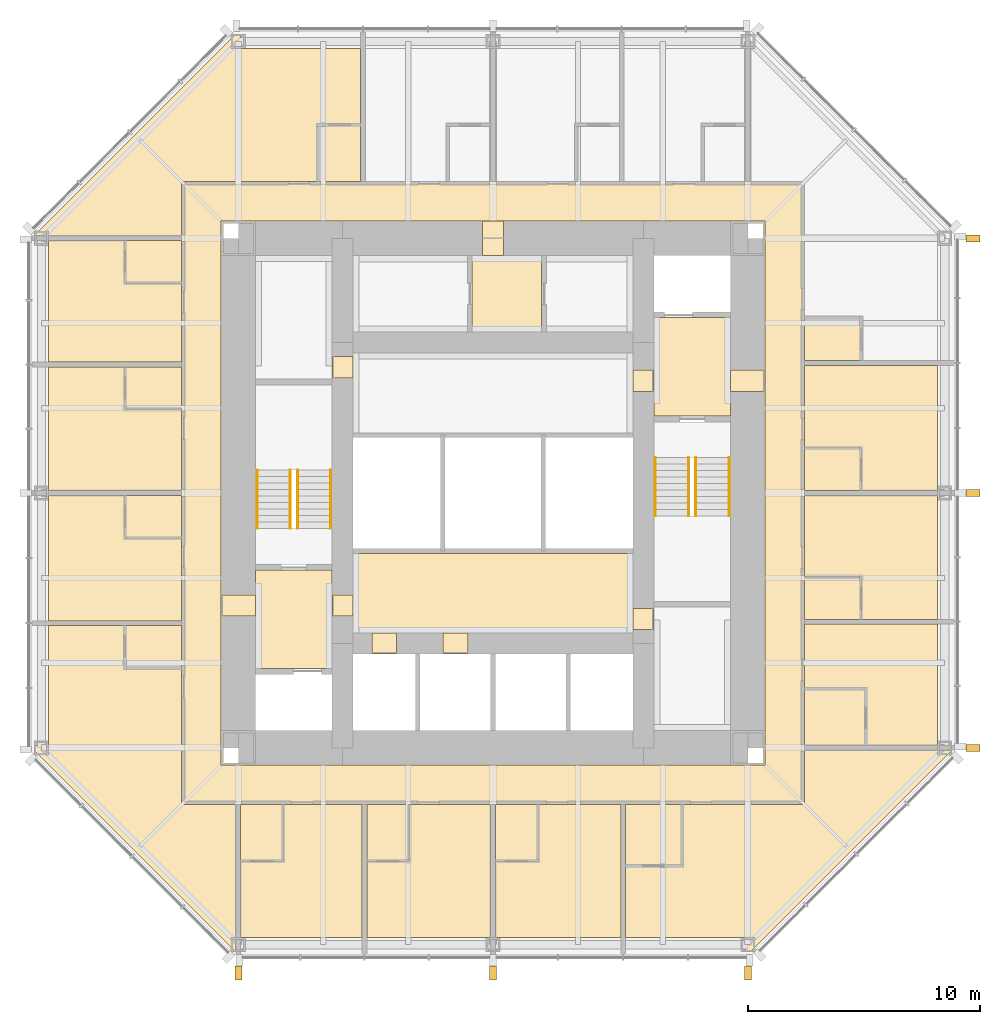
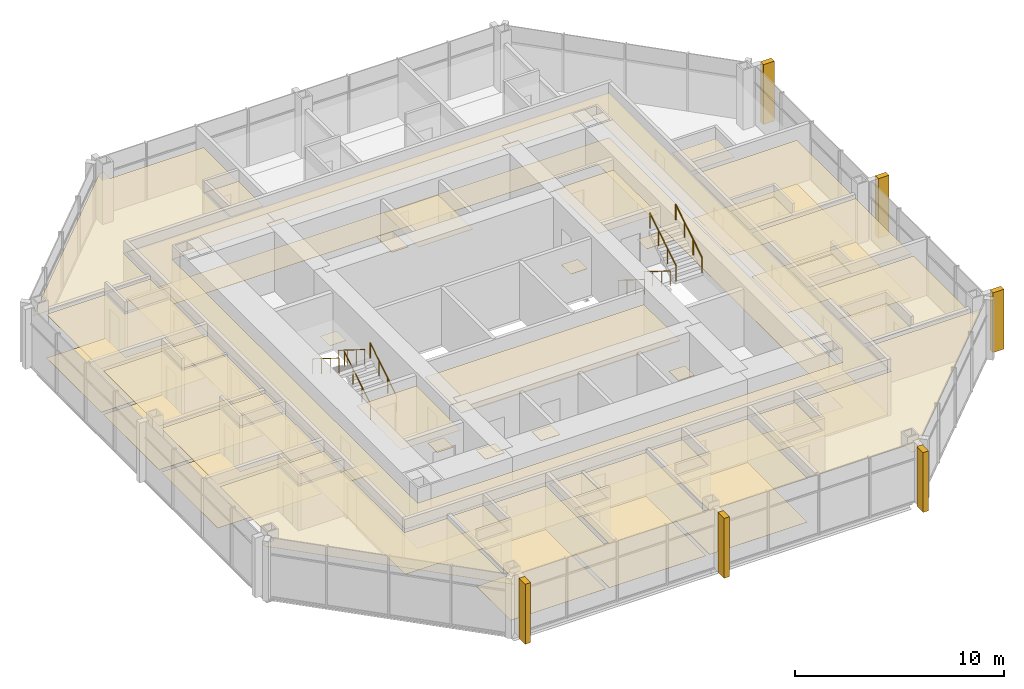
# One storey, part 11 of 12: 54 coverings, 8 railings.
"""IFC4 building model written with IfcOpenShell, lengths in metres."""

from ifc_helpers import new_model, si_unit, direction, frame, origin, origin_2d, place, context, subcontext, project, spatial, polyline, rectangle, circle, outline, extrude, material, layer, layer_set, type_object, element, save


model = new_model("IFC4")

# Units and contexts
model_context = context("Model", 3, precision=1e-05, world=origin(), true_north=direction((0.0, 1.0)))
body_context = subcontext(model_context, "Body", "Model", "MODEL_VIEW")
ifc_project = project(units=[si_unit("LENGTHUNIT", "METRE"), si_unit("AREAUNIT", "SQUARE_METRE"), si_unit("VOLUMEUNIT", "CUBIC_METRE"), si_unit("PLANEANGLEUNIT", "RADIAN"), si_unit("MASSUNIT", "GRAM", prefix="KILO")], contexts=[model_context])

# Site, building, storey
site_placement = place(None, origin())
site = spatial("IfcSite", under=ifc_project, at=site_placement, CompositionType="ELEMENT")
building_placement = place(site_placement, origin())
building = spatial("IfcBuilding", under=site, at=building_placement, Name="Trevanion Tower", CompositionType="ELEMENT")
storey_placement = place(building_placement, frame((0.0, 0.0, 190.699951171875)))
storey = spatial("IfcBuildingStorey", under=building, at=storey_placement, Name="L44", CompositionType="ELEMENT", Elevation=190.699951171875)

# Coverings
ifc_material_1 = material(Name="Fibrous plaster coffers on suspended steel grid", Category="steel")
ifc_layer_1 = layer(ifc_material_1, 0.050048828125)
ifc_layer_set_1 = layer_set([ifc_layer_1], Name="CL1 coffered fibrous plaster ceiling 50")
covering_type_1 = type_object("IfcCoveringType", Name="CL1 coffered fibrous plaster ceiling 50", PredefinedType="CEILING", material=ifc_layer_set_1)
covering_1_placement = place(storey_placement, frame((0.0, 0.0, 2.429931640625)))
element("IfcCovering", 1, at=covering_1_placement, inside=storey, type_object=covering_type_1, Name="CL1 L44-LBS", PredefinedType="CEILING", context=body_context, shape_type="SweptSolid", body=[
    extrude(outline(polyline([(6.050048828125, -6.050048828125), (6.050048828125, -2.60009765625), (-6.050048828125, -2.60009765625), (-6.050048828125, -6.050048828125), (6.050048828125, -6.050048828125)])), origin(), (0.0, 0.0, 1.0), 0.050048828125),
])
ifc_material_2 = material(Name="Mineral fibre acoustic tiles in exposed grid", Category="mineral fibre")
ifc_layer_2 = layer(ifc_material_2, 0.02001953125)
ifc_layer_set_2 = layer_set([ifc_layer_2], Name="CL2 acoustic tile ceiling 20")
covering_type_2 = type_object("IfcCoveringType", Name="CL2 acoustic tile ceiling 20", PredefinedType="CEILING", material=ifc_layer_set_2)
covering_2_placement = place(storey_placement, frame((0.0, 0.0, 2.4599609375)))
element("IfcCovering", 2, at=covering_2_placement, inside=storey, type_object=covering_type_2, Name="CL2 L44-HKC", PredefinedType="CEILING", context=body_context, shape_type="SweptSolid", body=[
    extrude(outline(polyline([(2.10009765625, 6.949951171875), (2.10009765625, 10.25), (-0.89990234375, 10.25), (-0.89990234375, 6.949951171875), (2.10009765625, 6.949951171875)])), origin(), (0.0, 0.0, 1.0), 0.02001953125),
])
covering_3_placement = place(storey_placement, frame((0.0, 0.0, 2.633056640625)))
element("IfcCovering", 3, at=covering_3_placement, inside=storey, type_object=covering_type_2, Name="CL2 L44-CO", PredefinedType="CEILING", context=body_context, shape_type="SweptSolid", body=[
    extrude(outline(polyline([(-13.35009765625, -13.35009765625), (-13.35009765625, 13.35009765625), (13.35009765625, 13.35009765625), (13.35009765625, -13.35009765625), (-13.35009765625, -13.35009765625)]), holes=[polyline([(11.75, 11.75), (-11.75, 11.75), (-11.75, -11.75), (11.75, -11.75), (11.75, 11.75)])]), origin(), (0.0, 0.0, 1.0), 0.02001953125),
])
ifc_material_3 = material(Name="Gypsum plasterboard on suspended metal furring", Category="gypsum")
ifc_layer_3 = layer(ifc_material_3, 0.012939453125)
ifc_layer_set_3 = layer_set([ifc_layer_3], Name="CL3 plasterboard ceiling 13")
covering_type_3 = type_object("IfcCoveringType", Name="CL3 plasterboard ceiling 13", PredefinedType="CEILING", material=ifc_layer_set_3)
covering_4_placement = place(storey_placement, frame((0.0, 0.0, 2.699951171875)))
element("IfcCovering", 4, at=covering_4_placement, inside=storey, type_object=covering_type_3, Name="CL3 L44-FV1", PredefinedType="CEILING", context=body_context, shape_type="SweptSolid", body=[
    extrude(outline(polyline([(10.25, 3.324951171875), (10.25, 7.574951171875), (6.949951171875, 7.574951171875), (6.949951171875, 3.324951171875), (10.25, 3.324951171875)])), origin(), (0.0, 0.0, 1.0), 0.01318359375),
])
covering_5_placement = place(storey_placement, frame((0.0, 0.0, 2.699951171875)))
element("IfcCovering", 5, at=covering_5_placement, inside=storey, type_object=covering_type_3, Name="CL3 L44-FV2", PredefinedType="CEILING", context=body_context, shape_type="SweptSolid", body=[
    extrude(outline(polyline([(-10.25, -3.324951171875), (-10.25, -7.574951171875), (-6.949951171875, -7.574951171875), (-6.949951171875, -3.324951171875), (-10.25, -3.324951171875)])), origin(), (0.0, 0.0, 1.0), 0.01318359375),
])
covering_6_placement = place(storey_placement, frame((0.0, 0.0, 2.551025390625)))
element("IfcCovering", 6, at=covering_6_placement, inside=storey, type_object=covering_type_3, Name="CL3 L44-GA", PredefinedType="CEILING", context=body_context, shape_type="SweptSolid", body=[
    extrude(outline(polyline([(13.449951171875, -5.64892578125), (19.199951171875, -5.64892578125), (19.199951171875, -10.89990234375), (16.10009765625, -10.89990234375), (16.10009765625, -8.449951171875), (13.449951171875, -8.449951171875), (13.449951171875, -5.64892578125)])), origin(), (0.0, 0.0, 1.0), 0.012939453125),
])
covering_7_placement = place(storey_placement, frame((0.0, 0.0, 2.551025390625)))
element("IfcCovering", 7, at=covering_7_placement, inside=storey, type_object=covering_type_3, Name="CL3 L44-GR", PredefinedType="CEILING", context=body_context, shape_type="SweptSolid", body=[
    extrude(outline(polyline([(13.449951171875, -0.10009765625), (19.199951171875, -0.10009765625), (19.199951171875, -5.448974609375), (15.89990234375, -5.448974609375), (15.89990234375, -3.59912109375), (13.449951171875, -3.59912109375), (13.449951171875, -0.10009765625)])), origin(), (0.0, 0.0, 1.0), 0.012939453125),
])
covering_8_placement = place(storey_placement, frame((0.0, 0.0, 2.551025390625)))
element("IfcCovering", 8, at=covering_8_placement, inside=storey, type_object=covering_type_3, Name="CL3 L44-GR2", PredefinedType="CEILING", context=body_context, shape_type="SweptSolid", body=[
    extrude(outline(polyline([(13.449951171875, 5.513916015625), (19.199951171875, 5.513916015625), (19.199951171875, 0.10009765625), (15.89990234375, 0.10009765625), (15.89990234375, 1.949951171875), (13.449951171875, 1.949951171875), (13.449951171875, 5.513916015625)])), origin(), (0.0, 0.0, 1.0), 0.012939453125),
])
covering_9_placement = place(storey_placement, frame((0.0, 0.0, 2.551025390625)))
element("IfcCovering", 9, at=covering_9_placement, inside=storey, type_object=covering_type_3, Name="CL3 L44-GR7", PredefinedType="CEILING", context=body_context, shape_type="SweptSolid", body=[
    extrude(outline(polyline([(-13.449951171875, 11.10009765625), (-19.800048828125, 11.10009765625), (-19.800048828125, 11.124267578125), (-11.124267578125, 19.800048828125), (-10.89990234375, 19.800048828125), (-10.89990234375, 19.199951171875), (-5.714111328125, 19.199951171875), (-5.714111328125, 15.89990234375), (-7.56396484375, 15.89990234375), (-7.56396484375, 13.449951171875), (-13.449951171875, 13.449951171875), (-13.449951171875, 11.10009765625)])), origin(), (0.0, 0.0, 1.0), 0.012939453125),
])
covering_10_placement = place(storey_placement, frame((0.0, 0.0, 2.551025390625)))
element("IfcCovering", 10, at=covering_10_placement, inside=storey, type_object=covering_type_3, Name="CL3 L44-GR8", PredefinedType="CEILING", context=body_context, shape_type="SweptSolid", body=[
    extrude(outline(polyline([(-13.449951171875, 5.64892578125), (-19.199951171875, 5.64892578125), (-19.199951171875, 10.89990234375), (-15.89990234375, 10.89990234375), (-15.89990234375, 9.050048828125), (-13.449951171875, 9.050048828125), (-13.449951171875, 5.64892578125)])), origin(), (0.0, 0.0, 1.0), 0.012939453125),
])
covering_11_placement = place(storey_placement, frame((0.0, 0.0, 2.551025390625)))
element("IfcCovering", 11, at=covering_11_placement, inside=storey, type_object=covering_type_3, Name="CL3 L44-GR9", PredefinedType="CEILING", context=body_context, shape_type="SweptSolid", body=[
    extrude(outline(polyline([(-13.449951171875, 0.10009765625), (-19.199951171875, 0.10009765625), (-19.199951171875, 5.448974609375), (-15.89990234375, 5.448974609375), (-15.89990234375, 3.59912109375), (-13.449951171875, 3.59912109375), (-13.449951171875, 0.10009765625)])), origin(), (0.0, 0.0, 1.0), 0.012939453125),
])
covering_12_placement = place(storey_placement, frame((0.0, 0.0, 2.551025390625)))
element("IfcCovering", 12, at=covering_12_placement, inside=storey, type_object=covering_type_3, Name="CL3 L44-GR10", PredefinedType="CEILING", context=body_context, shape_type="SweptSolid", body=[
    extrude(outline(polyline([(-13.449951171875, -5.513916015625), (-19.199951171875, -5.513916015625), (-19.199951171875, -0.10009765625), (-15.89990234375, -0.10009765625), (-15.89990234375, -1.949951171875), (-13.449951171875, -1.949951171875), (-13.449951171875, -5.513916015625)])), origin(), (0.0, 0.0, 1.0), 0.012939453125),
])
covering_13_placement = place(storey_placement, frame((0.0, 0.0, 2.551025390625)))
element("IfcCovering", 13, at=covering_13_placement, inside=storey, type_object=covering_type_3, Name="CL3 L44-GR11", PredefinedType="CEILING", context=body_context, shape_type="SweptSolid", body=[
    extrude(outline(polyline([(-11.10009765625, -13.449951171875), (-11.10009765625, -19.800048828125), (-11.124267578125, -19.800048828125), (-19.800048828125, -11.124267578125), (-19.800048828125, -10.89990234375), (-19.199951171875, -10.89990234375), (-19.199951171875, -5.714111328125), (-15.89990234375, -5.714111328125), (-15.89990234375, -7.56396484375), (-13.449951171875, -7.56396484375), (-13.449951171875, -13.449951171875), (-11.10009765625, -13.449951171875)])), origin(), (0.0, 0.0, 1.0), 0.012939453125),
])
covering_14_placement = place(storey_placement, frame((0.0, 0.0, 2.551025390625)))
element("IfcCovering", 14, at=covering_14_placement, inside=storey, type_object=covering_type_3, Name="CL3 L44-GR12", PredefinedType="CEILING", context=body_context, shape_type="SweptSolid", body=[
    extrude(outline(polyline([(-5.64892578125, -13.449951171875), (-5.64892578125, -19.199951171875), (-10.89990234375, -19.199951171875), (-10.89990234375, -15.89990234375), (-9.050048828125, -15.89990234375), (-9.050048828125, -13.449951171875), (-5.64892578125, -13.449951171875)])), origin(), (0.0, 0.0, 1.0), 0.012939453125),
])
covering_15_placement = place(storey_placement, frame((0.0, 0.0, 2.551025390625)))
element("IfcCovering", 15, at=covering_15_placement, inside=storey, type_object=covering_type_3, Name="CL3 L44-GR13", PredefinedType="CEILING", context=body_context, shape_type="SweptSolid", body=[
    extrude(outline(polyline([(-0.10009765625, -13.449951171875), (-0.10009765625, -19.199951171875), (-5.448974609375, -19.199951171875), (-5.448974609375, -15.89990234375), (-3.59912109375, -15.89990234375), (-3.59912109375, -13.449951171875), (-0.10009765625, -13.449951171875)])), origin(), (0.0, 0.0, 1.0), 0.012939453125),
])
covering_16_placement = place(storey_placement, frame((0.0, 0.0, 2.551025390625)))
element("IfcCovering", 16, at=covering_16_placement, inside=storey, type_object=covering_type_3, Name="CL3 L44-GR14", PredefinedType="CEILING", context=body_context, shape_type="SweptSolid", body=[
    extrude(outline(polyline([(5.513916015625, -13.449951171875), (5.513916015625, -19.199951171875), (0.10009765625, -19.199951171875), (0.10009765625, -15.89990234375), (1.949951171875, -15.89990234375), (1.949951171875, -13.449951171875), (5.513916015625, -13.449951171875)])), origin(), (0.0, 0.0, 1.0), 0.012939453125),
])
covering_17_placement = place(storey_placement, frame((0.0, 0.0, 2.551025390625)))
element("IfcCovering", 17, at=covering_17_placement, inside=storey, type_object=covering_type_3, Name="CL3 L44-GA2", PredefinedType="CEILING", context=body_context, shape_type="SweptSolid", body=[
    extrude(outline(polyline([(13.449951171875, -11.10009765625), (19.800048828125, -11.10009765625), (19.800048828125, -11.124267578125), (11.124267578125, -19.800048828125), (10.89990234375, -19.800048828125), (10.89990234375, -19.199951171875), (5.714111328125, -19.199951171875), (5.714111328125, -16.10009765625), (8.1640625, -16.10009765625), (8.1640625, -13.449951171875), (13.449951171875, -13.449951171875), (13.449951171875, -11.10009765625)])), origin(), (0.0, 0.0, 1.0), 0.012939453125),
])
ifc_material_4 = material(Name="Moisture-resistant gypsum board on suspended metal furring", Category="gypsum")
ifc_layer_4 = layer(ifc_material_4, 0.01611328125)
ifc_layer_set_4 = layer_set([ifc_layer_4], Name="CL4 moisture-resistant board ceiling 16")
covering_type_4 = type_object("IfcCoveringType", Name="CL4 moisture-resistant board ceiling 16", PredefinedType="CEILING", material=ifc_layer_set_4)
covering_18_placement = place(storey_placement, frame((0.0, 0.0, 2.60009765625)))
element("IfcCovering", 18, at=covering_18_placement, inside=storey, type_object=covering_type_4, Name="CL4 L44-EN", PredefinedType="CEILING", context=body_context, shape_type="SweptSolid", body=[
    extrude(outline(polyline([(16.050048828125, -10.89990234375), (16.050048828125, -8.5), (13.449951171875, -8.5), (13.449951171875, -10.89990234375), (16.050048828125, -10.89990234375)])), origin(), (0.0, 0.0, 1.0), 0.015869140625),
])
covering_19_placement = place(storey_placement, frame((0.0, 0.0, 2.60009765625)))
element("IfcCovering", 19, at=covering_19_placement, inside=storey, type_object=covering_type_4, Name="CL4 L44-EN2", PredefinedType="CEILING", context=body_context, shape_type="SweptSolid", body=[
    extrude(outline(polyline([(15.85009765625, -5.448974609375), (15.85009765625, -3.64892578125), (13.449951171875, -3.64892578125), (13.449951171875, -5.448974609375), (15.85009765625, -5.448974609375)])), origin(), (0.0, 0.0, 1.0), 0.015869140625),
])
covering_20_placement = place(storey_placement, frame((0.0, 0.0, 2.60009765625)))
element("IfcCovering", 20, at=covering_20_placement, inside=storey, type_object=covering_type_4, Name="CL4 L44-EN3", PredefinedType="CEILING", context=body_context, shape_type="SweptSolid", body=[
    extrude(outline(polyline([(15.85009765625, 0.10009765625), (15.85009765625, 1.89990234375), (13.449951171875, 1.89990234375), (13.449951171875, 0.10009765625), (15.85009765625, 0.10009765625)])), origin(), (0.0, 0.0, 1.0), 0.015869140625),
])
covering_21_placement = place(storey_placement, frame((0.0, 0.0, 2.60009765625)))
element("IfcCovering", 21, at=covering_21_placement, inside=storey, type_object=covering_type_4, Name="CL4 L44-EN4", PredefinedType="CEILING", context=body_context, shape_type="SweptSolid", body=[
    extrude(outline(polyline([(15.85009765625, 5.714111328125), (15.85009765625, 7.513916015625), (13.449951171875, 7.513916015625), (13.449951171875, 5.714111328125), (15.85009765625, 5.714111328125)])), origin(), (0.0, 0.0, 1.0), 0.015869140625),
])
covering_22_placement = place(storey_placement, frame((0.0, 0.0, 2.60009765625)))
element("IfcCovering", 22, at=covering_22_placement, inside=storey, type_object=covering_type_4, Name="CL4 L44-EN8", PredefinedType="CEILING", context=body_context, shape_type="SweptSolid", body=[
    extrude(outline(polyline([(-5.714111328125, 15.85009765625), (-7.513916015625, 15.85009765625), (-7.513916015625, 13.449951171875), (-5.714111328125, 13.449951171875), (-5.714111328125, 15.85009765625)])), origin(), (0.0, 0.0, 1.0), 0.015869140625),
])
covering_23_placement = place(storey_placement, frame((0.0, 0.0, 2.60009765625)))
element("IfcCovering", 23, at=covering_23_placement, inside=storey, type_object=covering_type_4, Name="CL4 L44-EN9", PredefinedType="CEILING", context=body_context, shape_type="SweptSolid", body=[
    extrude(outline(polyline([(-15.85009765625, 10.89990234375), (-15.85009765625, 9.10009765625), (-13.449951171875, 9.10009765625), (-13.449951171875, 10.89990234375), (-15.85009765625, 10.89990234375)])), origin(), (0.0, 0.0, 1.0), 0.015869140625),
])
covering_24_placement = place(storey_placement, frame((0.0, 0.0, 2.60009765625)))
element("IfcCovering", 24, at=covering_24_placement, inside=storey, type_object=covering_type_4, Name="CL4 L44-EN10", PredefinedType="CEILING", context=body_context, shape_type="SweptSolid", body=[
    extrude(outline(polyline([(-15.85009765625, 5.448974609375), (-15.85009765625, 3.64892578125), (-13.449951171875, 3.64892578125), (-13.449951171875, 5.448974609375), (-15.85009765625, 5.448974609375)])), origin(), (0.0, 0.0, 1.0), 0.015869140625),
])
covering_25_placement = place(storey_placement, frame((0.0, 0.0, 2.60009765625)))
element("IfcCovering", 25, at=covering_25_placement, inside=storey, type_object=covering_type_4, Name="CL4 L44-EN11", PredefinedType="CEILING", context=body_context, shape_type="SweptSolid", body=[
    extrude(outline(polyline([(-15.85009765625, -0.10009765625), (-15.85009765625, -1.89990234375), (-13.449951171875, -1.89990234375), (-13.449951171875, -0.10009765625), (-15.85009765625, -0.10009765625)])), origin(), (0.0, 0.0, 1.0), 0.015869140625),
])
covering_26_placement = place(storey_placement, frame((0.0, 0.0, 2.60009765625)))
element("IfcCovering", 26, at=covering_26_placement, inside=storey, type_object=covering_type_4, Name="CL4 L44-EN12", PredefinedType="CEILING", context=body_context, shape_type="SweptSolid", body=[
    extrude(outline(polyline([(-15.85009765625, -5.714111328125), (-15.85009765625, -7.513916015625), (-13.449951171875, -7.513916015625), (-13.449951171875, -5.714111328125), (-15.85009765625, -5.714111328125)])), origin(), (0.0, 0.0, 1.0), 0.015869140625),
])
covering_27_placement = place(storey_placement, frame((0.0, 0.0, 2.60009765625)))
element("IfcCovering", 27, at=covering_27_placement, inside=storey, type_object=covering_type_4, Name="CL4 L44-EN13", PredefinedType="CEILING", context=body_context, shape_type="SweptSolid", body=[
    extrude(outline(polyline([(-10.89990234375, -15.85009765625), (-9.10009765625, -15.85009765625), (-9.10009765625, -13.449951171875), (-10.89990234375, -13.449951171875), (-10.89990234375, -15.85009765625)])), origin(), (0.0, 0.0, 1.0), 0.015869140625),
])
covering_28_placement = place(storey_placement, frame((0.0, 0.0, 2.60009765625)))
element("IfcCovering", 28, at=covering_28_placement, inside=storey, type_object=covering_type_4, Name="CL4 L44-EN14", PredefinedType="CEILING", context=body_context, shape_type="SweptSolid", body=[
    extrude(outline(polyline([(-5.448974609375, -15.85009765625), (-3.64892578125, -15.85009765625), (-3.64892578125, -13.449951171875), (-5.448974609375, -13.449951171875), (-5.448974609375, -15.85009765625)])), origin(), (0.0, 0.0, 1.0), 0.015869140625),
])
covering_29_placement = place(storey_placement, frame((0.0, 0.0, 2.60009765625)))
element("IfcCovering", 29, at=covering_29_placement, inside=storey, type_object=covering_type_4, Name="CL4 L44-EN15", PredefinedType="CEILING", context=body_context, shape_type="SweptSolid", body=[
    extrude(outline(polyline([(0.10009765625, -15.85009765625), (1.89990234375, -15.85009765625), (1.89990234375, -13.449951171875), (0.10009765625, -13.449951171875), (0.10009765625, -15.85009765625)])), origin(), (0.0, 0.0, 1.0), 0.015869140625),
])
covering_30_placement = place(storey_placement, frame((0.0, 0.0, 2.60009765625)))
element("IfcCovering", 30, at=covering_30_placement, inside=storey, type_object=covering_type_4, Name="CL4 L44-EN16", PredefinedType="CEILING", context=body_context, shape_type="SweptSolid", body=[
    extrude(outline(polyline([(5.714111328125, -16.050048828125), (8.114013671875, -16.050048828125), (8.114013671875, -13.449951171875), (5.714111328125, -13.449951171875), (5.714111328125, -16.050048828125)])), origin(), (0.0, 0.0, 1.0), 0.015869140625),
])
ifc_material_5 = material(Name="Cast bronze fin on aluminium carrier", Category="aluminium")
covering_type_5 = type_object("IfcCoveringType", Name="F1 bronze fin", PredefinedType="CLADDING", material=ifc_material_5)
for number, where, z_axis, x_axis, name in (
    (31, (20.72509765625, -11.0, -0.18994140625), (0.0, 0.0, 1.0), (0.0, 1.0, 0.0), "F1 L44 east -11.0"),
    (32, (20.72509765625, 0.0, -0.18994140625), (0.0, 0.0, 1.0), (0.0, 1.0, 0.0), "F1 L44 east +0.0"),
    (33, (20.72509765625, 11.0, -0.18994140625), (0.0, 0.0, 1.0), (0.0, 1.0, 0.0), "F1 L44 east +11.0"),
    (34, (-11.0, -20.72509765625, -0.18994140625), (0.0, 0.0, 1.0), (1.0, 0.0, 0.0), "F1 L44 south -11.0"),
    (35, (0.0, -20.72509765625, -0.18994140625), (0.0, 0.0, 1.0), (1.0, 0.0, 0.0), "F1 L44 south +0.0"),
    (36, (11.0, -20.72509765625, -0.18994140625), (0.0, 0.0, 1.0), (1.0, 0.0, 0.0), "F1 L44 south +11.0"),
):
    element("IfcCovering", number, at=place(storey_placement, frame(where, z_axis=z_axis, x_axis=x_axis)), inside=storey, type_object=covering_type_5, Name=name, PredefinedType="CLADDING", context=body_context, shape_type="SweptSolid", body=[
        extrude(rectangle(XDim=0.300048828125, YDim=0.60009765625, at=origin_2d()), origin(), (0.0, 0.0, 1.0), 3.5),
    ])
ifc_material_6 = material(Name="Terrazzo, brass divider strips", Category="stone")
ifc_layer_5 = layer(ifc_material_6, 0.02001953125)
ifc_layer_set_5 = layer_set([ifc_layer_5], Name="FF1 terrazzo flooring")
covering_type_6 = type_object("IfcCoveringType", Name="FF1 terrazzo flooring", PredefinedType="FLOORING", material=ifc_layer_set_5)
covering_31_placement = place(storey_placement, origin())
element("IfcCovering", 37, at=covering_31_placement, inside=storey, type_object=covering_type_6, Name="FF1 threshold 44-001", PredefinedType="FLOORING", context=body_context, shape_type="SweptSolid", body=[
    extrude(outline(polyline([(11.75, 4.392578125), (11.75, 5.3076171875), (10.25, 5.3076171875), (10.25, 4.392578125), (11.75, 4.392578125)])), origin(), (0.0, 0.0, 1.0), 0.02001953125),
])
covering_32_placement = place(storey_placement, origin())
element("IfcCovering", 38, at=covering_32_placement, inside=storey, type_object=covering_type_6, Name="FF1 threshold 44-002", PredefinedType="FLOORING", context=body_context, shape_type="SweptSolid", body=[
    extrude(outline(polyline([(-11.75, -4.392578125), (-11.75, -5.3076171875), (-10.25, -5.3076171875), (-10.25, -4.392578125), (-11.75, -4.392578125)])), origin(), (0.0, 0.0, 1.0), 0.02001953125),
])
covering_33_placement = place(storey_placement, origin())
element("IfcCovering", 39, at=covering_33_placement, inside=storey, type_object=covering_type_6, Name="FF1 threshold 44-003", PredefinedType="FLOORING", context=body_context, shape_type="SweptSolid", body=[
    extrude(outline(polyline([(6.949951171875, 4.392578125), (6.949951171875, 5.3076171875), (6.050048828125, 5.3076171875), (6.050048828125, 4.392578125), (6.949951171875, 4.392578125)])), origin(), (0.0, 0.0, 1.0), 0.02001953125),
])
covering_34_placement = place(storey_placement, origin())
element("IfcCovering", 40, at=covering_34_placement, inside=storey, type_object=covering_type_6, Name="FF1 threshold 44-004", PredefinedType="FLOORING", context=body_context, shape_type="SweptSolid", body=[
    extrude(outline(polyline([(-6.949951171875, -4.392578125), (-6.949951171875, -5.3076171875), (-6.050048828125, -5.3076171875), (-6.050048828125, -4.392578125), (-6.949951171875, -4.392578125)])), origin(), (0.0, 0.0, 1.0), 0.02001953125),
])
covering_35_placement = place(storey_placement, origin())
element("IfcCovering", 41, at=covering_35_placement, inside=storey, type_object=covering_type_6, Name="FF1 threshold 44-009", PredefinedType="FLOORING", context=body_context, shape_type="SweptSolid", body=[
    extrude(outline(polyline([(6.949951171875, -5.889892578125), (6.949951171875, -4.97509765625), (6.050048828125, -4.97509765625), (6.050048828125, -5.889892578125), (6.949951171875, -5.889892578125)])), origin(), (0.0, 0.0, 1.0), 0.02001953125),
])
covering_36_placement = place(storey_placement, origin())
element("IfcCovering", 42, at=covering_36_placement, inside=storey, type_object=covering_type_6, Name="FF1 threshold 44-010", PredefinedType="FLOORING", context=body_context, shape_type="SweptSolid", body=[
    extrude(outline(polyline([(-6.949951171875, 5.889892578125), (-6.949951171875, 4.97509765625), (-6.050048828125, 4.97509765625), (-6.050048828125, 5.889892578125), (-6.949951171875, 5.889892578125)])), origin(), (0.0, 0.0, 1.0), 0.02001953125),
])
covering_37_placement = place(storey_placement, origin())
element("IfcCovering", 43, at=covering_37_placement, inside=storey, type_object=covering_type_6, Name="FF1 threshold 44-011", PredefinedType="FLOORING", context=body_context, shape_type="SweptSolid", body=[
    extrude(outline(polyline([(-5.2333984375, -6.949951171875), (-4.16650390625, -6.949951171875), (-4.16650390625, -6.050048828125), (-5.2333984375, -6.050048828125), (-5.2333984375, -6.949951171875)])), origin(), (0.0, 0.0, 1.0), 0.02001953125),
])
covering_38_placement = place(storey_placement, origin())
element("IfcCovering", 44, at=covering_38_placement, inside=storey, type_object=covering_type_6, Name="FF1 threshold 44-012", PredefinedType="FLOORING", context=body_context, shape_type="SweptSolid", body=[
    extrude(outline(polyline([(-2.158447265625, -6.949951171875), (-1.091552734375, -6.949951171875), (-1.091552734375, -6.050048828125), (-2.158447265625, -6.050048828125), (-2.158447265625, -6.949951171875)])), origin(), (0.0, 0.0, 1.0), 0.02001953125),
])
covering_39_placement = place(storey_placement, origin())
element("IfcCovering", 45, at=covering_39_placement, inside=storey, type_object=covering_type_6, Name="FF1 threshold 44-013", PredefinedType="FLOORING", context=body_context, shape_type="SweptSolid", body=[
    extrude(outline(polyline([(0.45751953125, 11.75), (-0.45751953125, 11.75), (-0.45751953125, 10.25), (0.45751953125, 10.25), (0.45751953125, 11.75)])), origin(), (0.0, 0.0, 1.0), 0.02001953125),
])
ifc_material_7 = material(Name="Wool carpet on underlay", Category="textile")
ifc_layer_6 = layer(ifc_material_7, 0.011962890625)
ifc_layer_set_6 = layer_set([ifc_layer_6], Name="FF2 carpet flooring")
covering_type_7 = type_object("IfcCoveringType", Name="FF2 carpet flooring", PredefinedType="FLOORING", material=ifc_layer_set_6)
covering_40_placement = place(storey_placement, origin())
element("IfcCovering", 46, at=covering_40_placement, inside=storey, type_object=covering_type_7, Name="FF2 L44-CO", PredefinedType="FLOORING", context=body_context, shape_type="SweptSolid", body=[
    extrude(outline(polyline([(-13.35009765625, -13.35009765625), (-13.35009765625, 13.35009765625), (13.35009765625, 13.35009765625), (13.35009765625, -13.35009765625), (-13.35009765625, -13.35009765625)]), holes=[polyline([(11.75, 11.75), (-11.75, 11.75), (-11.75, -11.75), (11.75, -11.75), (11.75, 11.75)])]), origin(), (0.0, 0.0, 1.0), 0.011962890625),
])
covering_41_placement = place(storey_placement, origin())
element("IfcCovering", 47, at=covering_41_placement, inside=storey, type_object=covering_type_7, Name="FF2 L44-GR", PredefinedType="FLOORING", context=body_context, shape_type="SweptSolid", body=[
    extrude(outline(polyline([(13.449951171875, -0.10009765625), (19.199951171875, -0.10009765625), (19.199951171875, -5.448974609375), (15.89990234375, -5.448974609375), (15.89990234375, -3.59912109375), (13.449951171875, -3.59912109375), (13.449951171875, -0.10009765625)])), origin(), (0.0, 0.0, 1.0), 0.011962890625),
])
covering_42_placement = place(storey_placement, origin())
element("IfcCovering", 48, at=covering_42_placement, inside=storey, type_object=covering_type_7, Name="FF2 L44-GR2", PredefinedType="FLOORING", context=body_context, shape_type="SweptSolid", body=[
    extrude(outline(polyline([(13.449951171875, 5.513916015625), (19.199951171875, 5.513916015625), (19.199951171875, 0.10009765625), (15.89990234375, 0.10009765625), (15.89990234375, 1.949951171875), (13.449951171875, 1.949951171875), (13.449951171875, 5.513916015625)])), origin(), (0.0, 0.0, 1.0), 0.011962890625),
])
covering_43_placement = place(storey_placement, origin())
element("IfcCovering", 49, at=covering_43_placement, inside=storey, type_object=covering_type_7, Name="FF2 L44-GR8", PredefinedType="FLOORING", context=body_context, shape_type="SweptSolid", body=[
    extrude(outline(polyline([(-13.449951171875, 5.64892578125), (-19.199951171875, 5.64892578125), (-19.199951171875, 10.89990234375), (-15.89990234375, 10.89990234375), (-15.89990234375, 9.050048828125), (-13.449951171875, 9.050048828125), (-13.449951171875, 5.64892578125)])), origin(), (0.0, 0.0, 1.0), 0.011962890625),
])
covering_44_placement = place(storey_placement, origin())
element("IfcCovering", 50, at=covering_44_placement, inside=storey, type_object=covering_type_7, Name="FF2 L44-GR9", PredefinedType="FLOORING", context=body_context, shape_type="SweptSolid", body=[
    extrude(outline(polyline([(-13.449951171875, 0.10009765625), (-19.199951171875, 0.10009765625), (-19.199951171875, 5.448974609375), (-15.89990234375, 5.448974609375), (-15.89990234375, 3.59912109375), (-13.449951171875, 3.59912109375), (-13.449951171875, 0.10009765625)])), origin(), (0.0, 0.0, 1.0), 0.011962890625),
])
covering_45_placement = place(storey_placement, origin())
element("IfcCovering", 51, at=covering_45_placement, inside=storey, type_object=covering_type_7, Name="FF2 L44-GR10", PredefinedType="FLOORING", context=body_context, shape_type="SweptSolid", body=[
    extrude(outline(polyline([(-13.449951171875, -5.513916015625), (-19.199951171875, -5.513916015625), (-19.199951171875, -0.10009765625), (-15.89990234375, -0.10009765625), (-15.89990234375, -1.949951171875), (-13.449951171875, -1.949951171875), (-13.449951171875, -5.513916015625)])), origin(), (0.0, 0.0, 1.0), 0.011962890625),
])
covering_46_placement = place(storey_placement, origin())
element("IfcCovering", 52, at=covering_46_placement, inside=storey, type_object=covering_type_7, Name="FF2 L44-GR12", PredefinedType="FLOORING", context=body_context, shape_type="SweptSolid", body=[
    extrude(outline(polyline([(-5.64892578125, -13.449951171875), (-5.64892578125, -19.199951171875), (-10.89990234375, -19.199951171875), (-10.89990234375, -15.89990234375), (-9.050048828125, -15.89990234375), (-9.050048828125, -13.449951171875), (-5.64892578125, -13.449951171875)])), origin(), (0.0, 0.0, 1.0), 0.011962890625),
])
covering_47_placement = place(storey_placement, origin())
element("IfcCovering", 53, at=covering_47_placement, inside=storey, type_object=covering_type_7, Name="FF2 L44-GR13", PredefinedType="FLOORING", context=body_context, shape_type="SweptSolid", body=[
    extrude(outline(polyline([(-0.10009765625, -13.449951171875), (-0.10009765625, -19.199951171875), (-5.448974609375, -19.199951171875), (-5.448974609375, -15.89990234375), (-3.59912109375, -15.89990234375), (-3.59912109375, -13.449951171875), (-0.10009765625, -13.449951171875)])), origin(), (0.0, 0.0, 1.0), 0.011962890625),
])
covering_48_placement = place(storey_placement, origin())
element("IfcCovering", 54, at=covering_48_placement, inside=storey, type_object=covering_type_7, Name="FF2 L44-GR14", PredefinedType="FLOORING", context=body_context, shape_type="SweptSolid", body=[
    extrude(outline(polyline([(5.513916015625, -13.449951171875), (5.513916015625, -19.199951171875), (0.10009765625, -19.199951171875), (0.10009765625, -15.89990234375), (1.949951171875, -15.89990234375), (1.949951171875, -13.449951171875), (5.513916015625, -13.449951171875)])), origin(), (0.0, 0.0, 1.0), 0.011962890625),
])

# Railings
ifc_material_8 = material(Name="Stainless steel tube 40 mm", Category="steel")
railing_type = type_object("IfcRailingType", Name="HR1 handrail", PredefinedType="HANDRAIL", material=ifc_material_8)
for number, where, name in (
    (55, (7.010009765625, 1.52490234375, 0.175048828125), "HR1 ST1 L44 flight 1"),
    (56, (8.43994140625, 1.52490234375, 0.175048828125), "HR1 ST1 L44 flight 1"),
):
    element("IfcRailing", number, at=place(storey_placement, frame(where)), inside=storey, type_object=railing_type, Name=name, PredefinedType="HANDRAIL", context=body_context, shape_type="SweptSolid", body=[
        extrude(circle(Radius=0.02001953125, at=origin_2d()), frame((0.0, 0.0, 0.8798828125), z_axis=(0.0, -0.848007534815, 0.529984170421), x_axis=(1.0, 0.0, 0.0)), (0.0, 0.0, 1.0), 2.9716796875),
        extrude(circle(Radius=0.01513671875, at=origin_2d()), origin(), (0.0, 0.0, 1.0), 0.85986328125),
        extrude(circle(Radius=0.01513671875, at=origin_2d()), frame((0.0, -0.840087890625, 0.52490234375)), (0.0, 0.0, 1.0), 0.85986328125),
        extrude(circle(Radius=0.01513671875, at=origin_2d()), frame((0.0, -1.679931640625, 1.050048828125)), (0.0, 0.0, 1.0), 0.85986328125),
        extrude(circle(Radius=0.01513671875, at=origin_2d()), frame((0.0, -2.52001953125, 1.574951171875)), (0.0, 0.0, 1.0), 0.85986328125),
    ])
for number, where, name in (
    (57, (8.760009765625, -0.9951171875, 1.925048828125), "HR1 ST1 L44 flight 2"),
    (58, (10.18994140625, -0.9951171875, 1.925048828125), "HR1 ST1 L44 flight 2"),
    (59, (-7.010009765625, -1.52490234375, 0.175048828125), "HR1 ST2 L44 flight 1"),
    (60, (-8.43994140625, -1.52490234375, 0.175048828125), "HR1 ST2 L44 flight 1"),
):
    element("IfcRailing", number, at=place(storey_placement, frame(where)), inside=storey, type_object=railing_type, Name=name, PredefinedType="HANDRAIL", context=body_context, shape_type="SweptSolid", body=[
        extrude(circle(Radius=0.02001953125, at=origin_2d()), frame((0.0, 0.0, 0.8798828125), z_axis=(0.0, 0.848007534815, 0.529984170421), x_axis=(-1.0, 0.0, 0.0)), (0.0, 0.0, 1.0), 2.9716796875),
        extrude(circle(Radius=0.01513671875, at=origin_2d()), origin(), (0.0, 0.0, 1.0), 0.85986328125),
        extrude(circle(Radius=0.01513671875, at=origin_2d()), frame((0.0, 0.840087890625, 0.52490234375)), (0.0, 0.0, 1.0), 0.85986328125),
        extrude(circle(Radius=0.01513671875, at=origin_2d()), frame((0.0, 1.679931640625, 1.050048828125)), (0.0, 0.0, 1.0), 0.85986328125),
        extrude(circle(Radius=0.01513671875, at=origin_2d()), frame((0.0, 2.52001953125, 1.574951171875)), (0.0, 0.0, 1.0), 0.85986328125),
    ])
for number, where, name in (
    (61, (-8.760009765625, 0.9951171875, 1.925048828125), "HR1 ST2 L44 flight 2"),
    (62, (-10.18994140625, 0.9951171875, 1.925048828125), "HR1 ST2 L44 flight 2"),
):
    element("IfcRailing", number, at=place(storey_placement, frame(where)), inside=storey, type_object=railing_type, Name=name, PredefinedType="HANDRAIL", context=body_context, shape_type="SweptSolid", body=[
        extrude(circle(Radius=0.02001953125, at=origin_2d()), frame((0.0, 0.0, 0.8798828125), z_axis=(0.0, -0.848007534815, 0.529984170421), x_axis=(1.0, 0.0, 0.0)), (0.0, 0.0, 1.0), 2.9716796875),
        extrude(circle(Radius=0.01513671875, at=origin_2d()), origin(), (0.0, 0.0, 1.0), 0.85986328125),
        extrude(circle(Radius=0.01513671875, at=origin_2d()), frame((0.0, -0.840087890625, 0.52490234375)), (0.0, 0.0, 1.0), 0.85986328125),
        extrude(circle(Radius=0.01513671875, at=origin_2d()), frame((0.0, -1.679931640625, 1.050048828125)), (0.0, 0.0, 1.0), 0.85986328125),
        extrude(circle(Radius=0.01513671875, at=origin_2d()), frame((0.0, -2.52001953125, 1.574951171875)), (0.0, 0.0, 1.0), 0.85986328125),
    ])

save(model, "model.ifc")
